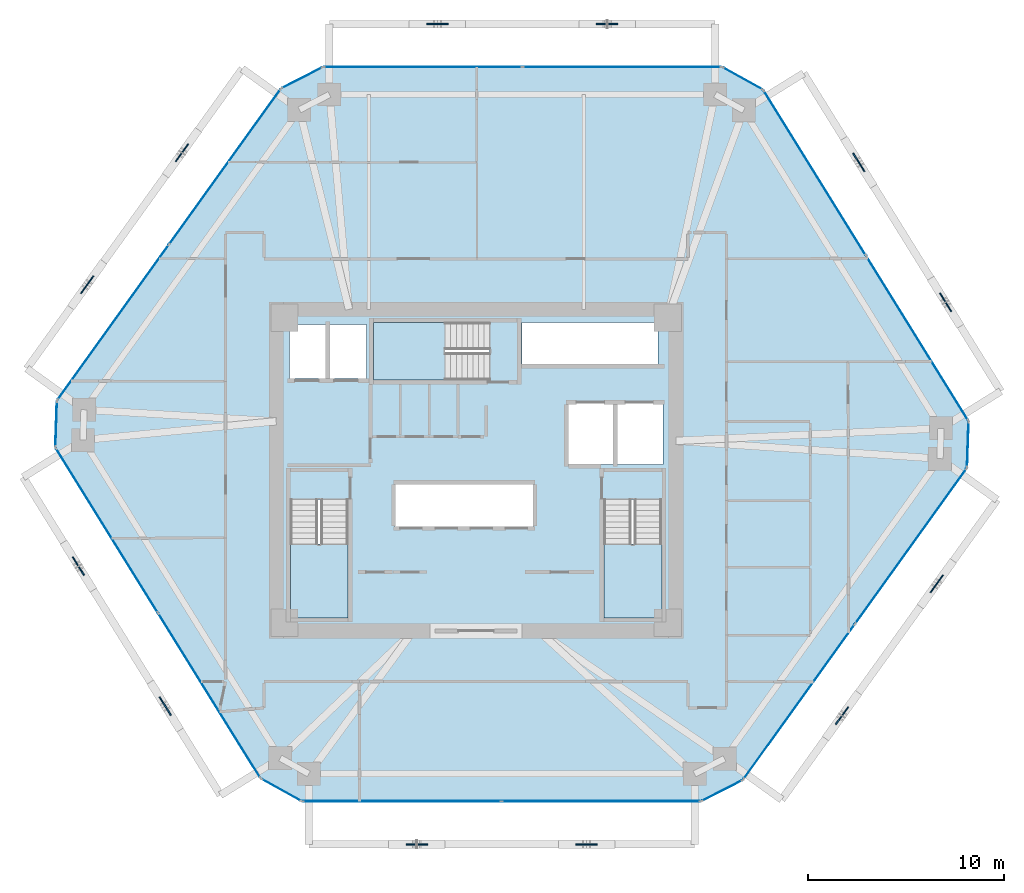
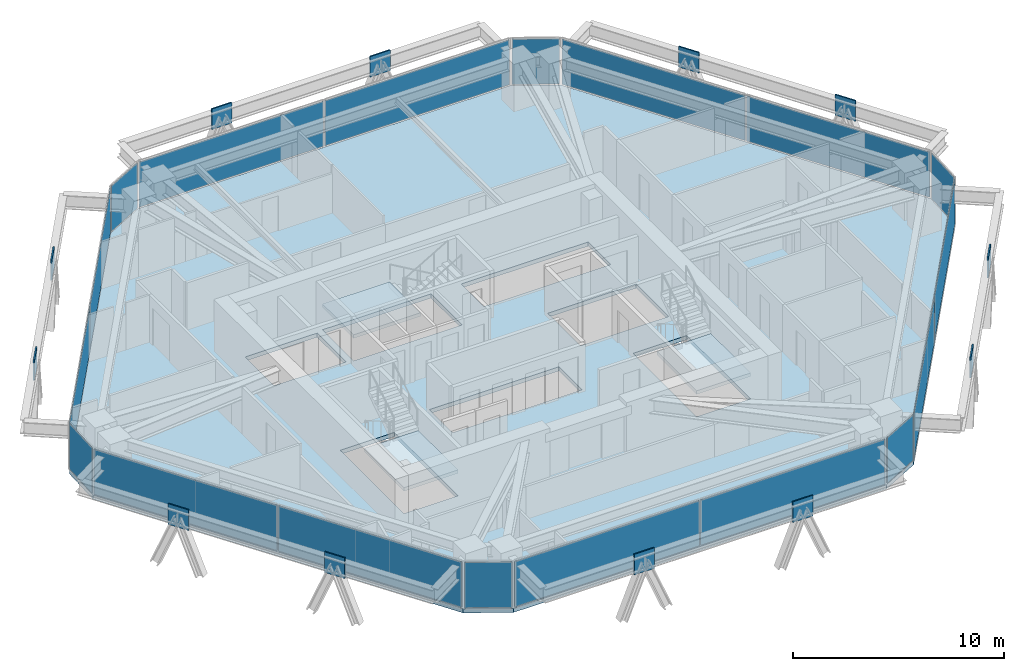
# One storey, part 9 of 17: 30 plates, 4 slabs, 15 elements without a shape of their own.
"""IFC4 building model written with IfcOpenShell, lengths in metres."""

from ifc_helpers import new_model, si_unit, direction, frame, origin, origin_2d, place, context, subcontext, project, spatial, polyline, rectangle, outline, extrude, source, transform, mapped, material, layer, layer_set, type_object, type_shapes, element, aggregate, save


model = new_model("IFC4")

# Units and contexts
model_context = context("Model", 3, precision=1e-05, world=origin(), true_north=direction((0.0, 1.0)))
body_context = subcontext(model_context, "Body", "Model", "MODEL_VIEW")
ifc_project = project(units=[si_unit("LENGTHUNIT", "METRE"), si_unit("AREAUNIT", "SQUARE_METRE"), si_unit("VOLUMEUNIT", "CUBIC_METRE"), si_unit("PLANEANGLEUNIT", "RADIAN"), si_unit("MASSUNIT", "GRAM", prefix="KILO")], contexts=[model_context])

# Site, building, storey
site_placement = place(None, origin())
site = spatial("IfcSite", under=ifc_project, at=site_placement, CompositionType="ELEMENT")
building_placement = place(site_placement, origin())
building = spatial("IfcBuilding", under=site, at=building_placement, Name="Durnholm Broadcast Tower", CompositionType="ELEMENT")
storey_placement = place(building_placement, frame((0.0, 0.0, 137.10009765625)))
storey = spatial("IfcBuildingStorey", under=building, at=storey_placement, Name="L37", CompositionType="ELEMENT", Elevation=137.10009765625)

# Slab
ifc_material_1 = material(Name="Concrete C50/60", Category="concrete")
ifc_layer_1 = layer(ifc_material_1, 0.239990234375)
ifc_layer_set_1 = layer_set([ifc_layer_1], Name="Concrete C50/60")
slab_type_1 = type_object("IfcSlabType", Name="SLAB-FLR-240", PredefinedType="FLOOR", material=ifc_layer_set_1)
slab_1_placement = place(storey_placement, frame((0.0, 0.0, -0.239990234375)))
element("IfcSlab", 1, at=slab_1_placement, inside=storey, type_object=slab_type_1, Name="L37 structural floor slab", PredefinedType="FLOOR", context=body_context, shape_type="SweptSolid", body=[
    extrude(outline(polyline([(-11.012451171875, -15.77001953125), (-8.915283203125, -16.93701171875), (11.51416015625, -16.93701171875), (13.649658203125, -15.841796875), (25.11279296875, 0.114990234375), (25.1943359375, 2.513671875), (14.6904296875, 19.447998046875), (12.59326171875, 20.614990234375), (-7.836181640625, 20.614990234375), (-9.9716796875, 19.519775390625), (-21.434814453125, 3.56298828125), (-21.516357421875, 1.164306640625), (-11.012451171875, -15.77001953125)]), holes=[polyline([(-6.5400390625, -1.5), (-9.5, -1.5), (-9.5, -7.550048828125), (-6.5400390625, -7.550048828125), (-6.5400390625, -1.5)]), polyline([(9.5, -7.550048828125), (9.5, -1.5), (6.5400390625, -1.5), (6.5400390625, -7.550048828125), (9.5, -7.550048828125)]), polyline([(2.949951171875, -0.699951171875), (-4.14990234375, -0.699951171875), (-4.14990234375, -2.89990234375), (2.949951171875, -2.89990234375), (2.949951171875, -0.699951171875)]), polyline([(9.550048828125, 3.39990234375), (4.699951171875, 3.39990234375), (4.699951171875, 0.300048828125), (9.550048828125, 0.300048828125), (9.550048828125, 3.39990234375)]), polyline([(-5.60009765625, 7.449951171875), (-9.550048828125, 7.449951171875), (-9.550048828125, 4.699951171875), (-5.60009765625, 4.699951171875), (-5.60009765625, 7.449951171875)]), polyline([(-5.25, 4.60009765625), (0.699951171875, 4.60009765625), (0.699951171875, 7.56005859375), (-5.25, 7.56005859375), (-5.25, 4.60009765625)]), polyline([(9.31005859375, 7.550048828125), (2.35009765625, 7.550048828125), (2.35009765625, 5.39990234375), (9.31005859375, 5.39990234375), (9.31005859375, 7.550048828125)])]), origin(), (0.0, 0.0, 1.0), 0.239990234375),
])

# Stair, slab
stair_type = type_object("IfcStairType", Name="STAIR-DL-18R1667", PredefinedType="HALF_TURN_STAIR", material=ifc_material_1)
stair_1_placement = place(storey_placement, origin())
stair_1 = element("IfcStair", 2, at=stair_1_placement, inside=storey, type_object=stair_type, Name="L37 ST-1", PredefinedType="HALF_TURN_STAIR")
ifc_layer_2 = layer(ifc_material_1, 0.199951171875)
ifc_layer_set_2 = layer_set([ifc_layer_2], Name="Concrete C50/60")
slab_type_2 = type_object("IfcSlabType", Name="SLAB-LND-200", PredefinedType="LANDING", material=ifc_layer_set_2)
slab_2_placement = place(storey_placement, frame((0.0, 0.0, 1.2998046875)))
slab_2 = element("IfcSlab", 3, at=slab_2_placement, type_object=slab_type_2, Name="ST-1 landing 1", PredefinedType="LANDING", context=body_context, shape_type="SweptSolid", body=[
    extrude(outline(polyline([(-9.5, -3.780029296875), (-9.5, -7.550048828125), (-6.5400390625, -7.550048828125), (-6.5400390625, -3.780029296875), (-9.5, -3.780029296875)])), origin(), (0.0, 0.0, 1.0), 0.2001953125),
])
aggregate(stair_1, [slab_2])

stair_2_placement = place(storey_placement, origin())
stair_2 = element("IfcStair", 4, at=stair_2_placement, inside=storey, type_object=stair_type, Name="L37 ST-2", PredefinedType="HALF_TURN_STAIR")
slab_3_placement = place(storey_placement, frame((0.0, 0.0, 1.2998046875)))
slab_3 = element("IfcSlab", 5, at=slab_3_placement, type_object=slab_type_2, Name="ST-2 landing 1", PredefinedType="LANDING", context=body_context, shape_type="SweptSolid", body=[
    extrude(outline(polyline([(6.5400390625, -3.780029296875), (6.5400390625, -7.550048828125), (9.5, -7.550048828125), (9.5, -3.780029296875), (6.5400390625, -3.780029296875)])), origin(), (0.0, 0.0, 1.0), 0.2001953125),
])
aggregate(stair_2, [slab_3])

stair_3_placement = place(storey_placement, origin())
stair_3 = element("IfcStair", 6, at=stair_3_placement, inside=storey, type_object=stair_type, Name="L37 ST-3", PredefinedType="HALF_TURN_STAIR")
slab_4_placement = place(storey_placement, frame((0.0, 0.0, 1.2998046875)))
slab_4 = element("IfcSlab", 7, at=slab_4_placement, type_object=slab_type_2, Name="ST-3 landing 1", PredefinedType="LANDING", context=body_context, shape_type="SweptSolid", body=[
    extrude(outline(polyline([(-1.580078125, 7.56005859375), (-5.25, 7.56005859375), (-5.25, 4.60009765625), (-1.580078125, 4.60009765625), (-1.580078125, 7.56005859375)])), origin(), (0.0, 0.0, 1.0), 0.2001953125),
])
aggregate(stair_3, [slab_4])

# Plates
ifc_material_2 = material(Name="Steel ASTM A572 Grade 50", Category="steel")
ifc_layer_3 = layer(ifc_material_2, 0.070068359375)
ifc_layer_set_3 = layer_set([ifc_layer_3], Name="Steel ASTM A572 Grade 50")
plate_type_1 = type_object("IfcPlateType", Name="PLT-KN05-GUS", PredefinedType="USERDEFINED", material=ifc_layer_set_3)
shared_shape_1 = source(origin(), body_context, "Body", "SweptSolid", [
    extrude(rectangle(XDim=1.10009765625, YDim=0.070068359375, at=origin_2d()), origin(), (0.0, 0.0, 1.0), 1.199951171875),
])
type_shapes(plate_type_1, [shared_shape_1])
for number, where, z_axis, x_axis, name in (
    (8, (-3.028076171875, -19.136962890625, 1.40869140625), (0.0, 0.0, 1.0), (1.0, 0.0, 0.0), "L37 welded diagrid node gusset plate KN05 F1"),
    (9, (5.65234375, -19.136962890625, 1.40869140625), (0.0, 0.0, 1.0), (1.0, 0.0, 0.0), "L37 welded diagrid node gusset plate KN05 F1"),
    (10, (18.71875, -12.556396484375, 1.40869140625), (0.0, 0.0, 1.0), (0.583399467156, 0.812185361677, 0.0), "L37 welded diagrid node gusset plate KN05 F2"),
    (11, (23.56689453125, -5.807861328125, 1.40869140625), (0.0, 0.0, 1.0), (0.583399467156, 0.812185361677, 0.0), "L37 welded diagrid node gusset plate KN05 F2"),
    (12, (24.01513671875, 8.58837890625, 1.40869140625), (0.0, 0.0, 1.0), (-0.527104121728, 0.849800708906, 0.0), "L37 welded diagrid node gusset plate KN05 F3"),
    (13, (19.576416015625, 15.74462890625, 1.40869140625), (0.0, 0.0, 1.0), (-0.527104121728, 0.849800708906, 0.0), "L37 welded diagrid node gusset plate KN05 F3"),
    (14, (6.7060546875, 22.81494140625, 1.40869140625), (0.0, 0.0, 1.0), (-1.0, 0.0, 0.0), "L37 welded diagrid node gusset plate KN05 F4"),
    (15, (-1.974365234375, 22.81494140625, 1.40869140625), (0.0, 0.0, 1.0), (-1.0, 0.0, 0.0), "L37 welded diagrid node gusset plate KN05 F4"),
    (16, (-15.040771484375, 16.234375, 1.40869140625), (0.0, 0.0, 1.0), (-0.583399467156, -0.812185361677, 0.0), "L37 welded diagrid node gusset plate KN05 F5"),
    (17, (-19.888916015625, 9.48583984375, 1.40869140625), (0.0, 0.0, 1.0), (-0.583399467156, -0.812185361677, 0.0), "L37 welded diagrid node gusset plate KN05 F5"),
    (18, (-20.337158203125, -4.910400390625, 1.40869140625), (0.0, 0.0, 1.0), (0.527104121728, -0.849800708906, 0.0), "L37 welded diagrid node gusset plate KN05 F6"),
    (19, (-15.898193359375, -12.066650390625, 1.40869140625), (0.0, 0.0, 1.0), (0.527104121728, -0.849800708906, 0.0), "L37 welded diagrid node gusset plate KN05 F6"),
):
    element("IfcPlate", number, at=place(storey_placement, frame(where, z_axis=z_axis, x_axis=x_axis)), inside=storey, type_object=plate_type_1, Name=name, ObjectType="GUSSET_PLATE", PredefinedType="USERDEFINED", context=body_context, shape_type="MappedRepresentation", body=[
        mapped(shared_shape_1, transform((0.0, 0.0, 0.0), x_axis=(1.0, 0.0, 0.0), y_axis=(0.0, 1.0, 0.0), z_axis=(0.0, 0.0, 1.0), scale=1.0)),
    ])

# Curtain wall, plate
ifc_material_3 = material(Name="Aluminium and Solar Control IGU", Category="aluminium")
ifc_layer_4 = layer(ifc_material_3, 0.1650390625)
ifc_layer_set_4 = layer_set([ifc_layer_4], Name="Aluminium and Solar Control IGU")
curtain_wall_type_1 = type_object("IfcCurtainWallType", Name="CW-SYS-5", PredefinedType="NOTDEFINED", material=ifc_layer_set_4)
curtain_wall_1_placement = place(storey_placement, origin())
curtain_wall_1 = element("IfcCurtainWall", 20, at=curtain_wall_1_placement, inside=storey, type_object=curtain_wall_type_1, Name="L37 curtain wall CW-CORNER CW-L37-CRN-01", PredefinedType="NOTDEFINED")
ifc_material_4 = material(Name="Low-E Laminated Insulating Glass", Category="glass")
ifc_layer_5 = layer(ifc_material_4, 0.030029296875)
ifc_layer_set_5 = layer_set([ifc_layer_5], Name="Low-E Laminated Insulating Glass")
plate_type_2 = type_object("IfcPlateType", Name="CW-SYS-5-PNL", PredefinedType="CURTAIN_PANEL", material=ifc_layer_set_5)
shared_shape_2 = source(origin(), body_context, "Body", "SweptSolid", [
    extrude(rectangle(XDim=2.27001953125, YDim=0.030029296875, at=origin_2d()), origin(), (0.0, 0.0, 1.0), 2.6298828125),
])
type_shapes(plate_type_2, [shared_shape_2])
plate_1_placement = place(storey_placement, frame((-21.4755859375, 2.36376953125, 0.06494140625), z_axis=(0.0, 0.0, 1.0), x_axis=(0.033916937775, 0.999424655155, 0.0)))
plate_1 = element("IfcPlate", 21, at=plate_1_placement, type_object=plate_type_2, Name="CW-CORNER panel 1.1", PredefinedType="CURTAIN_PANEL", context=body_context, shape_type="MappedRepresentation", body=[
    mapped(shared_shape_2, transform((0.0, 0.0, 0.0), x_axis=(1.0, 0.0, 0.0), y_axis=(0.0, 1.0, 0.0), z_axis=(0.0, 0.0, 1.0), scale=1.0)),
])
aggregate(curtain_wall_1, [plate_1])

curtain_wall_2_placement = place(storey_placement, origin())
curtain_wall_2 = element("IfcCurtainWall", 22, at=curtain_wall_2_placement, inside=storey, type_object=curtain_wall_type_1, Name="L37 curtain wall CW-CORNER CW-L37-CRN-03", PredefinedType="NOTDEFINED")
plate_2_placement = place(storey_placement, frame((-8.904052734375, 20.0673828125, 0.06494140625), z_axis=(0.0, 0.0, 1.0), x_axis=(0.889788396392, 0.45637332267, 0.0)))
plate_2 = element("IfcPlate", 23, at=plate_2_placement, type_object=plate_type_2, Name="CW-CORNER panel 1.1", PredefinedType="CURTAIN_PANEL", context=body_context, shape_type="MappedRepresentation", body=[
    mapped(shared_shape_2, transform((0.0, 0.0, 0.0), x_axis=(1.0, 0.0, 0.0), y_axis=(0.0, 1.0, 0.0), z_axis=(0.0, 0.0, 1.0), scale=1.0)),
])
aggregate(curtain_wall_2, [plate_2])

curtain_wall_3_placement = place(storey_placement, origin())
curtain_wall_3 = element("IfcCurtainWall", 24, at=curtain_wall_3_placement, inside=storey, type_object=curtain_wall_type_1, Name="L37 curtain wall CW-CORNER CW-L37-CRN-05", PredefinedType="NOTDEFINED")
plate_3_placement = place(storey_placement, frame((13.641845703125, 20.031494140625, 0.06494140625), z_axis=(0.0, 0.0, 1.0), x_axis=(0.873822953715, -0.486244224192, 0.0)))
plate_3 = element("IfcPlate", 25, at=plate_3_placement, type_object=plate_type_2, Name="CW-CORNER panel 1.1", PredefinedType="CURTAIN_PANEL", context=body_context, shape_type="MappedRepresentation", body=[
    mapped(shared_shape_2, transform((0.0, 0.0, 0.0), x_axis=(1.0, 0.0, 0.0), y_axis=(0.0, 1.0, 0.0), z_axis=(0.0, 0.0, 1.0), scale=1.0)),
])
aggregate(curtain_wall_3, [plate_3])

curtain_wall_4_placement = place(storey_placement, origin())
curtain_wall_4 = element("IfcCurtainWall", 26, at=curtain_wall_4_placement, inside=storey, type_object=curtain_wall_type_1, Name="L37 curtain wall CW-CORNER CW-L37-CRN-07", PredefinedType="NOTDEFINED")
plate_4_placement = place(storey_placement, frame((25.153564453125, 1.314208984375, 0.06494140625), z_axis=(0.0, 0.0, 1.0), x_axis=(-0.033916937775, -0.999424655155, 0.0)))
plate_4 = element("IfcPlate", 27, at=plate_4_placement, type_object=plate_type_2, Name="CW-CORNER panel 1.1", PredefinedType="CURTAIN_PANEL", context=body_context, shape_type="MappedRepresentation", body=[
    mapped(shared_shape_2, transform((0.0, 0.0, 0.0), x_axis=(1.0, 0.0, 0.0), y_axis=(0.0, 1.0, 0.0), z_axis=(0.0, 0.0, 1.0), scale=1.0)),
])
aggregate(curtain_wall_4, [plate_4])

curtain_wall_5_placement = place(storey_placement, origin())
curtain_wall_5 = element("IfcCurtainWall", 28, at=curtain_wall_5_placement, inside=storey, type_object=curtain_wall_type_1, Name="L37 curtain wall CW-CORNER CW-L37-CRN-09", PredefinedType="NOTDEFINED")
plate_5_placement = place(storey_placement, frame((12.58203125, -16.389404296875, 0.06494140625), z_axis=(0.0, 0.0, 1.0), x_axis=(-0.889788396392, -0.45637332267, 0.0)))
plate_5 = element("IfcPlate", 29, at=plate_5_placement, type_object=plate_type_2, Name="CW-CORNER panel 1.1", PredefinedType="CURTAIN_PANEL", context=body_context, shape_type="MappedRepresentation", body=[
    mapped(shared_shape_2, transform((0.0, 0.0, 0.0), x_axis=(1.0, 0.0, 0.0), y_axis=(0.0, 1.0, 0.0), z_axis=(0.0, 0.0, 1.0), scale=1.0)),
])
aggregate(curtain_wall_5, [plate_5])

curtain_wall_6_placement = place(storey_placement, origin())
curtain_wall_6 = element("IfcCurtainWall", 30, at=curtain_wall_6_placement, inside=storey, type_object=curtain_wall_type_1, Name="L37 curtain wall CW-CORNER CW-L37-CRN-11", PredefinedType="NOTDEFINED")
plate_6_placement = place(storey_placement, frame((-9.9638671875, -16.353515625, 0.06494140625), z_axis=(0.0, 0.0, 1.0), x_axis=(-0.873822953715, 0.486244224192, 0.0)))
plate_6 = element("IfcPlate", 31, at=plate_6_placement, type_object=plate_type_2, Name="CW-CORNER panel 1.1", PredefinedType="CURTAIN_PANEL", context=body_context, shape_type="MappedRepresentation", body=[
    mapped(shared_shape_2, transform((0.0, 0.0, 0.0), x_axis=(1.0, 0.0, 0.0), y_axis=(0.0, 1.0, 0.0), z_axis=(0.0, 0.0, 1.0), scale=1.0)),
])
aggregate(curtain_wall_6, [plate_6])

# Curtain wall, plates
ifc_layer_6 = layer(ifc_material_3, 0.18994140625)
ifc_layer_set_6 = layer_set([ifc_layer_6], Name="Aluminium and Solar Control IGU")
curtain_wall_type_2 = type_object("IfcCurtainWallType", Name="CW-SYS-3", PredefinedType="NOTDEFINED", material=ifc_layer_set_6)
curtain_wall_7_placement = place(storey_placement, origin())
curtain_wall_7 = element("IfcCurtainWall", 32, at=curtain_wall_7_placement, inside=storey, type_object=curtain_wall_type_2, Name="L37 curtain wall CW-Z12-VIS CW-L37-F02", PredefinedType="NOTDEFINED")
ifc_layer_7 = layer(ifc_material_4, 0.031982421875)
ifc_layer_set_7 = layer_set([ifc_layer_7], Name="Low-E Laminated Insulating Glass")
plate_type_3 = type_object("IfcPlateType", Name="CW-SYS-3-PNL", PredefinedType="CURTAIN_PANEL", material=ifc_layer_set_7)
shared_shape_3 = source(origin(), body_context, "Body", "SweptSolid", [
    extrude(rectangle(XDim=9.71875, YDim=0.031982421875, at=origin_2d()), origin(), (0.0, 0.0, 1.0), 2.6201171875),
])
plate_7_placement = place(storey_placement, frame((-18.558837890625, 7.56640625, 0.06982421875), z_axis=(0.0, 0.0, 1.0), x_axis=(0.583445473786, 0.812152312759, 0.0)))
plate_7 = element("IfcPlate", 33, at=plate_7_placement, type_object=plate_type_3, Name="CW-Z12-VIS panel 1.1", PredefinedType="CURTAIN_PANEL", context=body_context, shape_type="MappedRepresentation", body=[
    mapped(shared_shape_3, transform((0.0, 0.0, 0.0), x_axis=(1.0, 0.0, 0.0), y_axis=(0.0, 1.0, 0.0), z_axis=(0.0, 0.0, 1.0), scale=1.0)),
])
plate_8_placement = place(storey_placement, frame((-12.84765625, 15.516357421875, 0.06982421875), z_axis=(0.0, 0.0, 1.0), x_axis=(0.583445473786, 0.812152312759, 0.0)))
plate_8 = element("IfcPlate", 34, at=plate_8_placement, type_object=plate_type_3, Name="CW-Z12-VIS panel 2.1", PredefinedType="CURTAIN_PANEL", context=body_context, shape_type="MappedRepresentation", body=[
    mapped(shared_shape_3, transform((0.0, 0.0, 0.0), x_axis=(1.0, 0.0, 0.0), y_axis=(0.0, 1.0, 0.0), z_axis=(0.0, 0.0, 1.0), scale=1.0)),
])
aggregate(curtain_wall_7, [plate_7, plate_8])

curtain_wall_8_placement = place(storey_placement, origin())
curtain_wall_8 = element("IfcCurtainWall", 35, at=curtain_wall_8_placement, inside=storey, type_object=curtain_wall_type_2, Name="L37 curtain wall CW-Z12-VIS CW-L37-F08", PredefinedType="NOTDEFINED")
plate_9_placement = place(storey_placement, frame((22.23681640625, -3.888427734375, 0.06982421875), z_axis=(0.0, 0.0, 1.0), x_axis=(-0.583445473786, -0.812152312759, 0.0)))
plate_9 = element("IfcPlate", 36, at=plate_9_placement, type_object=plate_type_3, Name="CW-Z12-VIS panel 1.1", PredefinedType="CURTAIN_PANEL", context=body_context, shape_type="MappedRepresentation", body=[
    mapped(shared_shape_3, transform((0.0, 0.0, 0.0), x_axis=(1.0, 0.0, 0.0), y_axis=(0.0, 1.0, 0.0), z_axis=(0.0, 0.0, 1.0), scale=1.0)),
])
plate_10_placement = place(storey_placement, frame((16.525634765625, -11.83837890625, 0.06982421875), z_axis=(0.0, 0.0, 1.0), x_axis=(-0.583445473786, -0.812152312759, 0.0)))
plate_10 = element("IfcPlate", 37, at=plate_10_placement, type_object=plate_type_3, Name="CW-Z12-VIS panel 2.1", PredefinedType="CURTAIN_PANEL", context=body_context, shape_type="MappedRepresentation", body=[
    mapped(shared_shape_3, transform((0.0, 0.0, 0.0), x_axis=(1.0, 0.0, 0.0), y_axis=(0.0, 1.0, 0.0), z_axis=(0.0, 0.0, 1.0), scale=1.0)),
])
aggregate(curtain_wall_8, [plate_9, plate_10])

curtain_wall_9_placement = place(storey_placement, origin())
curtain_wall_9 = element("IfcCurtainWall", 38, at=curtain_wall_9_placement, inside=storey, type_object=curtain_wall_type_2, Name="L37 curtain wall CW-Z12-VIS CW-L37-F04", PredefinedType="NOTDEFINED")
shared_shape_4 = source(origin(), body_context, "Body", "SweptSolid", [
    extrude(rectangle(XDim=10.109619140625, YDim=0.031982421875, at=origin_2d()), origin(), (0.0, 0.0, 1.0), 2.6201171875),
])
plate_11_placement = place(storey_placement, frame((-2.71142578125, 20.614990234375, 0.06982421875), z_axis=(0.0, 0.0, 1.0), x_axis=(1.0, 0.0, 0.0)))
plate_11 = element("IfcPlate", 39, at=plate_11_placement, type_object=plate_type_3, Name="CW-Z12-VIS panel 1.1", PredefinedType="CURTAIN_PANEL", context=body_context, shape_type="MappedRepresentation", body=[
    mapped(shared_shape_4, transform((0.0, 0.0, 0.0), x_axis=(1.0, 0.0, 0.0), y_axis=(0.0, 1.0, 0.0), z_axis=(0.0, 0.0, 1.0), scale=1.0)),
])
plate_12_placement = place(storey_placement, frame((7.46826171875, 20.614990234375, 0.06982421875), z_axis=(0.0, 0.0, 1.0), x_axis=(1.0, 0.0, 0.0)))
plate_12 = element("IfcPlate", 40, at=plate_12_placement, type_object=plate_type_3, Name="CW-Z12-VIS panel 2.1", PredefinedType="CURTAIN_PANEL", context=body_context, shape_type="MappedRepresentation", body=[
    mapped(shared_shape_4, transform((0.0, 0.0, 0.0), x_axis=(1.0, 0.0, 0.0), y_axis=(0.0, 1.0, 0.0), z_axis=(0.0, 0.0, 1.0), scale=1.0)),
])
aggregate(curtain_wall_9, [plate_11, plate_12])

curtain_wall_10_placement = place(storey_placement, origin())
curtain_wall_10 = element("IfcCurtainWall", 41, at=curtain_wall_10_placement, inside=storey, type_object=curtain_wall_type_2, Name="L37 curtain wall CW-Z12-VIS CW-L37-F10", PredefinedType="NOTDEFINED")
plate_13_placement = place(storey_placement, frame((6.389404296875, -16.93701171875, 0.06982421875), z_axis=(0.0, 0.0, 1.0), x_axis=(-1.0, 0.0, 0.0)))
plate_13 = element("IfcPlate", 42, at=plate_13_placement, type_object=plate_type_3, Name="CW-Z12-VIS panel 1.1", PredefinedType="CURTAIN_PANEL", context=body_context, shape_type="MappedRepresentation", body=[
    mapped(shared_shape_4, transform((0.0, 0.0, 0.0), x_axis=(1.0, 0.0, 0.0), y_axis=(0.0, 1.0, 0.0), z_axis=(0.0, 0.0, 1.0), scale=1.0)),
])
plate_14_placement = place(storey_placement, frame((-3.790283203125, -16.93701171875, 0.06982421875), z_axis=(0.0, 0.0, 1.0), x_axis=(-1.0, 0.0, 0.0)))
plate_14 = element("IfcPlate", 43, at=plate_14_placement, type_object=plate_type_3, Name="CW-Z12-VIS panel 2.1", PredefinedType="CURTAIN_PANEL", context=body_context, shape_type="MappedRepresentation", body=[
    mapped(shared_shape_4, transform((0.0, 0.0, 0.0), x_axis=(1.0, 0.0, 0.0), y_axis=(0.0, 1.0, 0.0), z_axis=(0.0, 0.0, 1.0), scale=1.0)),
])
aggregate(curtain_wall_10, [plate_13, plate_14])

curtain_wall_11_placement = place(storey_placement, origin())
curtain_wall_11 = element("IfcCurtainWall", 44, at=curtain_wall_11_placement, inside=storey, type_object=curtain_wall_type_2, Name="L37 curtain wall CW-Z12-VIS CW-L37-F06", PredefinedType="NOTDEFINED")
shared_shape_5 = source(origin(), body_context, "Body", "SweptSolid", [
    extrude(rectangle(XDim=9.858642578125, YDim=0.031982421875, at=origin_2d()), origin(), (0.0, 0.0, 1.0), 2.6201171875),
])
type_shapes(plate_type_3, [shared_shape_3, shared_shape_4, shared_shape_5])
plate_15_placement = place(storey_placement, frame((17.32568359375, 15.199462890625, 0.06982421875), z_axis=(0.0, 0.0, 1.0), x_axis=(0.527105385176, -0.849799925229, 0.0)))
plate_15 = element("IfcPlate", 45, at=plate_15_placement, type_object=plate_type_3, Name="CW-Z12-VIS panel 1.1", PredefinedType="CURTAIN_PANEL", context=body_context, shape_type="MappedRepresentation", body=[
    mapped(shared_shape_5, transform((0.0, 0.0, 0.0), x_axis=(1.0, 0.0, 0.0), y_axis=(0.0, 1.0, 0.0), z_axis=(0.0, 0.0, 1.0), scale=1.0)),
])
plate_16_placement = place(storey_placement, frame((22.55908203125, 6.761962890625, 0.06982421875), z_axis=(0.0, 0.0, 1.0), x_axis=(0.527105385176, -0.849799925229, 0.0)))
plate_16 = element("IfcPlate", 46, at=plate_16_placement, type_object=plate_type_3, Name="CW-Z12-VIS panel 2.1", PredefinedType="CURTAIN_PANEL", context=body_context, shape_type="MappedRepresentation", body=[
    mapped(shared_shape_5, transform((0.0, 0.0, 0.0), x_axis=(1.0, 0.0, 0.0), y_axis=(0.0, 1.0, 0.0), z_axis=(0.0, 0.0, 1.0), scale=1.0)),
])
aggregate(curtain_wall_11, [plate_15, plate_16])

curtain_wall_12_placement = place(storey_placement, origin())
curtain_wall_12 = element("IfcCurtainWall", 47, at=curtain_wall_12_placement, inside=storey, type_object=curtain_wall_type_2, Name="L37 curtain wall CW-Z12-VIS CW-L37-F12", PredefinedType="NOTDEFINED")
plate_17_placement = place(storey_placement, frame((-13.647705078125, -11.521484375, 0.06982421875), z_axis=(0.0, 0.0, 1.0), x_axis=(-0.527105385176, 0.849799925229, 0.0)))
plate_17 = element("IfcPlate", 48, at=plate_17_placement, type_object=plate_type_3, Name="CW-Z12-VIS panel 1.1", PredefinedType="CURTAIN_PANEL", context=body_context, shape_type="MappedRepresentation", body=[
    mapped(shared_shape_5, transform((0.0, 0.0, 0.0), x_axis=(1.0, 0.0, 0.0), y_axis=(0.0, 1.0, 0.0), z_axis=(0.0, 0.0, 1.0), scale=1.0)),
])
plate_18_placement = place(storey_placement, frame((-18.881103515625, -3.083984375, 0.06982421875), z_axis=(0.0, 0.0, 1.0), x_axis=(-0.527105385176, 0.849799925229, 0.0)))
plate_18 = element("IfcPlate", 49, at=plate_18_placement, type_object=plate_type_3, Name="CW-Z12-VIS panel 2.1", PredefinedType="CURTAIN_PANEL", context=body_context, shape_type="MappedRepresentation", body=[
    mapped(shared_shape_5, transform((0.0, 0.0, 0.0), x_axis=(1.0, 0.0, 0.0), y_axis=(0.0, 1.0, 0.0), z_axis=(0.0, 0.0, 1.0), scale=1.0)),
])
aggregate(curtain_wall_12, [plate_17, plate_18])

save(model, "model.ifc")
